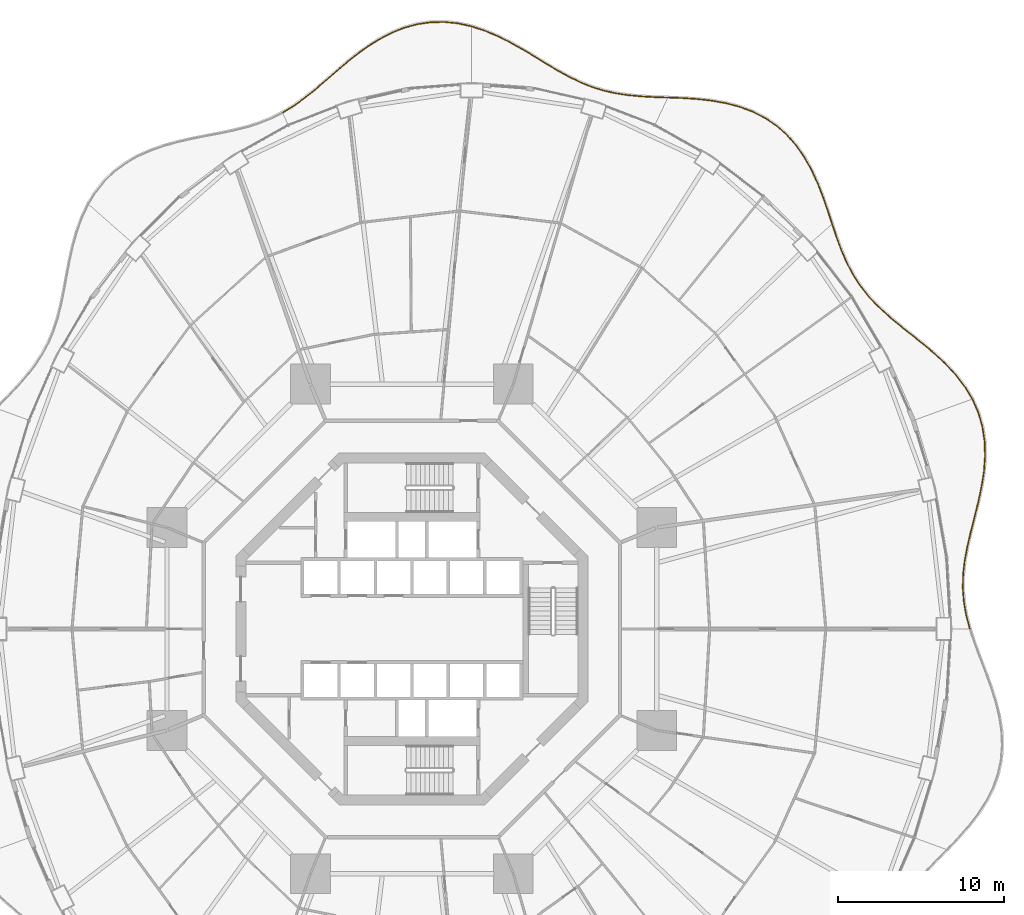
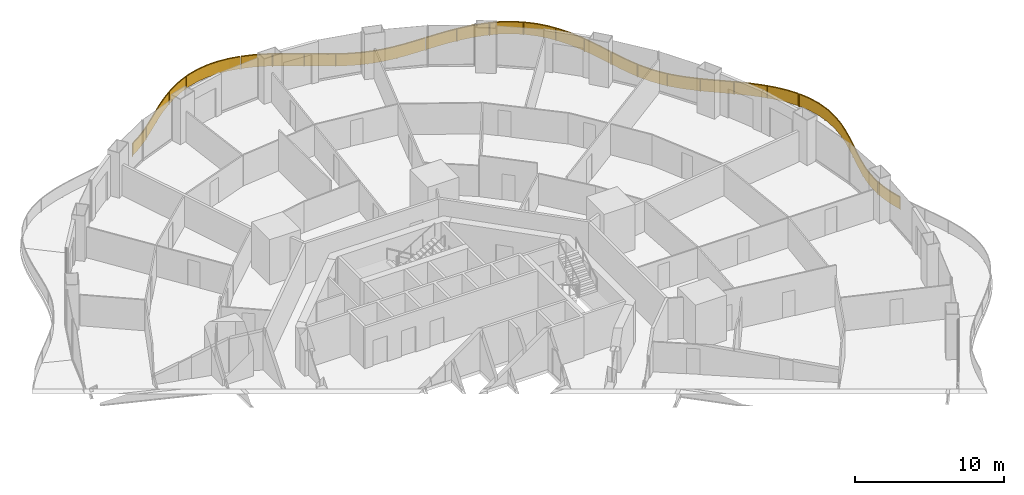
# One storey, part 22 of 22: 5 railings.
"""IFC4 building model written with IfcOpenShell, lengths in metres."""

import ifcopenshell
import ifcopenshell.guid

model = None  # the IFC model being written
_history = None  # IfcOwnerHistory: only IFC2X3 demands one
_inside = {}  # id of a spatial element -> (the spatial element, [elements in it])
_under = {}  # id of a project, library or spatial element -> (it, [spatial elements below it])
_declared = {}  # id of a project -> (the project, [libraries it declares])
_typed = {}  # id of a type object -> (the type object, [elements of that type])
_made_of = {}  # id of a material, layer set ... -> (it, [elements and type objects made of it])


def new_model(schema):
    """Start an empty IFC model of exactly this schema.

    Asked for "IFC4X3", IfcOpenShell would pick the latest addendum, in which some entities
    have other attributes; the version numbers below select the first issue.
    IFC2X3 requires an IfcOwnerHistory on every rooted entity: one is made here for all.
    """
    global model, _history
    if schema == "IFC4X3":
        model = ifcopenshell.file(schema_version=(4, 3, 0, 0))
    else:
        model = ifcopenshell.file(schema=schema)
    _inside.clear()
    _under.clear()
    _declared.clear()
    _typed.clear()
    _made_of.clear()
    _history = None
    if model.schema == "IFC2X3":
        org = make("IfcOrganization", Name="unknown")
        user = make(
            "IfcPersonAndOrganization",
            ThePerson=make("IfcPerson", FamilyName="unknown"),
            TheOrganization=org,
        )
        app = make(
            "IfcApplication",
            ApplicationDeveloper=org,
            Version="unknown",
            ApplicationFullName="unknown",
            ApplicationIdentifier="unknown",
        )
        _history = make(
            "IfcOwnerHistory",
            OwningUser=user,
            OwningApplication=app,
            ChangeAction="ADDED",
            CreationDate=0,
        )
    return model


def make(cls, **values):
    """One entity of the class cls with the attributes given. An attribute that is None is left unset."""
    return model.create_entity(
        cls, **{name: value for name, value in values.items() if value is not None}
    )


def rooted(cls, **values):
    """An entity with a GlobalId (a new one), such as an element, a storey or a relation."""
    return make(cls, GlobalId=ifcopenshell.guid.new(), OwnerHistory=_history, **values)


def si_unit(unit_type, name, prefix=None):
    """IfcSIUnit, for example si_unit("LENGTHUNIT", "METRE", prefix="MILLI")."""
    return make("IfcSIUnit", UnitType=unit_type, Prefix=prefix, Name=name)


def assignment(units):
    """IfcUnitAssignment: the units of a project."""
    return None if units is None else make("IfcUnitAssignment", Units=units)


def point(xyz):
    """IfcCartesianPoint."""
    return None if xyz is None else make("IfcCartesianPoint", Coordinates=xyz)


def direction(xyz):
    """IfcDirection."""
    return None if xyz is None else make("IfcDirection", DirectionRatios=xyz)


def frame(location, z_axis=None, x_axis=None):
    """IfcAxis2Placement3D, a coordinate frame: its origin and axes. An axis left out is left unset."""
    return make(
        "IfcAxis2Placement3D",
        Location=point(location),
        Axis=direction(z_axis),
        RefDirection=direction(x_axis),
    )


def frame_2d(location, x_axis=None):
    """IfcAxis2Placement2D, a coordinate frame in the plane: its origin and x axis."""
    return make(
        "IfcAxis2Placement2D", Location=point(location), RefDirection=direction(x_axis)
    )


def origin():
    """The frame at (0, 0, 0) with its axes left unset."""
    return frame((0.0, 0.0, 0.0))


def origin_2d():
    """The frame at (0, 0) in the plane with its x axis left unset."""
    return frame_2d((0.0, 0.0))


def place(relative_to, where):
    """IfcLocalPlacement: puts the frame where relative to a parent placement (None: the world)."""
    return make(
        "IfcLocalPlacement", PlacementRelTo=relative_to, RelativePlacement=where
    )


def context(
    kind, dimensions, precision=None, world=None, true_north=None, identifier=None
):
    """IfcGeometricRepresentationContext, for example the 3D "Model" context."""
    return make(
        "IfcGeometricRepresentationContext",
        ContextIdentifier=identifier,
        ContextType=kind,
        CoordinateSpaceDimension=dimensions,
        Precision=precision,
        WorldCoordinateSystem=world,
        TrueNorth=true_north,
    )


def subcontext(parent, identifier, kind, view, scale=None):
    """IfcGeometricRepresentationSubContext, for example "Body" below "Model"."""
    return make(
        "IfcGeometricRepresentationSubContext",
        ContextIdentifier=identifier,
        ContextType=kind,
        ParentContext=parent,
        TargetScale=scale,
        TargetView=view,
    )


def project(units=None, contexts=None):
    """IfcProject with its units and contexts."""
    return rooted(
        "IfcProject",
        Name="project",
        RepresentationContexts=contexts,
        UnitsInContext=assignment(units),
    )


def spatial(cls, under=None, at=None, **own):
    """A site, building, storey or space (cls), placed at a placement, below another one or the project."""
    s = rooted(cls, ObjectPlacement=at, **own)
    if under is not None:
        _under.setdefault(under.id(), (under, []))[1].append(s)
    return s


def polyline(points):
    """IfcPolyline through the points."""
    return make("IfcPolyline", Points=[point(p) for p in points])


def profile(cls, at=None, kind="AREA", **sizes):
    """A parametric profile (cls). Its sizes go by their IFC names, for example OverallWidth=200.0."""
    return make(cls, ProfileType=kind, Position=at, **sizes)


def rectangle(**sizes):
    """IfcRectangleProfileDef."""
    return profile("IfcRectangleProfileDef", **sizes)


def outline(outer, holes=None, kind="AREA"):
    """IfcArbitraryClosedProfileDef: a profile drawn as a closed curve; with holes, ...WithVoids."""
    if holes is None:
        return make("IfcArbitraryClosedProfileDef", ProfileType=kind, OuterCurve=outer)
    return make(
        "IfcArbitraryProfileDefWithVoids",
        ProfileType=kind,
        OuterCurve=outer,
        InnerCurves=holes,
    )


def extrude(swept, where, along, depth):
    """IfcExtrudedAreaSolid: the profile swept, set in the frame where, extruded along a direction by depth."""
    return make(
        "IfcExtrudedAreaSolid",
        SweptArea=swept,
        Position=where,
        ExtrudedDirection=direction(along),
        Depth=depth,
    )


def shape(context_of_items, identifier, shape_type, items):
    """IfcShapeRepresentation: the items that make up one representation, for example the "Body"."""
    return make(
        "IfcShapeRepresentation",
        ContextOfItems=context_of_items,
        RepresentationIdentifier=identifier,
        RepresentationType=shape_type,
        Items=items,
    )


def material(Name=None, Category=None):
    """IfcMaterial."""
    return make("IfcMaterial", Name=Name, Category=Category)


def made_of(thing, what):
    """Note that an element or type object is made of a material, layer set ...; save() writes the relation."""
    if what is not None:
        _made_of.setdefault(what.id(), (what, []))[1].append(thing)
    return thing


def type_object(cls, material=None, **own):
    """A type object (cls), such as IfcWallType, which elements share."""
    return made_of(rooted(cls, **own), material)


def element(
    cls,
    number,
    at=None,
    inside=None,
    cuts=None,
    type_object=None,
    material=None,
    context=None,
    identifier="Body",
    shape_type=None,
    held_by="IfcProductDefinitionShape",
    body=None,
    shapes=None,
    **own,
):
    """One element of the class cls, such as IfcWall. Its Tag is "e" and its number.

    at: its placement. inside: the storey or other place that contains it. cuts: it is an
    opening in that element (IfcRelVoidsElement). A single representation is given by context,
    identifier, shape_type and body (its items); several are given by shapes. held_by: the class
    of the entity that holds the representations. save() writes the other relations.
    """
    e = rooted(cls, Tag="e%d" % number, ObjectPlacement=at, **own)
    if body is not None:
        shapes = [shape(context, identifier, shape_type, body)]
    if shapes is not None:
        e.Representation = make(held_by, Representations=shapes)
    if inside is not None:
        _inside.setdefault(inside.id(), (inside, []))[1].append(e)
    if cuts is not None:
        rooted(
            "IfcRelVoidsElement", RelatingBuildingElement=cuts, RelatedOpeningElement=e
        )
    if type_object is not None:
        _typed.setdefault(type_object.id(), (type_object, []))[1].append(e)
    return made_of(e, material)


def aggregate(whole, parts):
    """IfcRelAggregates: a whole, such as a stair, and the parts it consists of."""
    return rooted("IfcRelAggregates", RelatingObject=whole, RelatedObjects=parts)


def save(model, path):
    """Write the relations noted so far, then the file.

    IfcRelAggregates (storeys below a building ...), IfcRelContainedInSpatialStructure (elements
    in a storey), IfcRelDefinesByType, IfcRelAssociatesMaterial and IfcRelDeclares: one each for
    every whole, place, type object, material and project.
    """
    for whole, parts in _under.values():
        aggregate(whole, parts)
    for where, things in _inside.values():
        rooted(
            "IfcRelContainedInSpatialStructure",
            RelatedElements=things,
            RelatingStructure=where,
        )
    for kind, things in _typed.values():
        rooted("IfcRelDefinesByType", RelatedObjects=things, RelatingType=kind)
    for what, things in _made_of.values():
        rooted("IfcRelAssociatesMaterial", RelatedObjects=things, RelatingMaterial=what)
    for by, libraries in _declared.values():
        rooted("IfcRelDeclares", RelatingContext=by, RelatedDefinitions=libraries)
    model.write(path)


model = new_model("IFC4")

# Units and contexts
model_context = context("Model", 3, precision=1e-05, world=origin(), true_north=direction((0.0, 1.0)))
body_context = subcontext(model_context, "Body", "Model", "MODEL_VIEW")
ifc_project = project(units=[si_unit("LENGTHUNIT", "METRE"), si_unit("AREAUNIT", "SQUARE_METRE"), si_unit("VOLUMEUNIT", "CUBIC_METRE"), si_unit("PLANEANGLEUNIT", "RADIAN"), si_unit("MASSUNIT", "GRAM", prefix="KILO")], contexts=[model_context])

# Site, building, storey
site_placement = place(None, origin())
site = spatial("IfcSite", under=ifc_project, at=site_placement, CompositionType="ELEMENT")
building_placement = place(site_placement, origin())
building = spatial("IfcBuilding", under=site, at=building_placement, Name="Nagisa Residences", CompositionType="ELEMENT")
storey_placement = place(building_placement, frame((0.0, 0.0, 64.0)))
storey = spatial("IfcBuildingStorey", under=building, at=storey_placement, Name="L15", CompositionType="ELEMENT", Elevation=64.0)

# Railings
ifc_material = material(Name="Stainless steel 316", Category="steel")
railing_type = type_object("IfcRailingType", Name="BALCONY GUARD 1100", PredefinedType="BALUSTRADE", material=ifc_material)
railing_1_placement = place(storey_placement, frame((33.6708984375, 0.03466796875, 0.0)))
element("IfcRailing", 1, at=railing_1_placement, inside=storey, type_object=railing_type, Name="guard:L15:bal00-0", PredefinedType="BALUSTRADE", context=body_context, shape_type="SweptSolid", body=[
    extrude(outline(polyline([(-0.23193359375, 0.779541015625), (-0.024169921875, -0.00634765625), (0.024169921875, 0.00634765625), (-0.18310546875, 0.790283203125), (-0.3271484375, 1.609130859375), (-0.39013671875, 2.428466796875), (-0.37158203125, 3.25439453125), (-0.27685546875, 4.0927734375), (-0.11669921875, 4.934326171875), (0.08740234375, 5.80908203125), (0.314453125, 6.703125), (0.5400390625, 7.6142578125), (0.7373046875, 8.53759765625), (0.884521484375, 9.452880859375), (0.9521484375, 10.37890625), (0.92529296875, 11.292236328125), (0.79052734375, 12.183349609375), (0.541748046875, 13.04296875), (0.197021484375, 13.81982421875), (0.151123046875, 13.79931640625), (0.494384765625, 13.02587890625), (0.74169921875, 12.172607421875), (0.87548828125, 11.287841796875), (0.90185546875, 10.3798828125), (0.834716796875, 9.458740234375), (0.68798828125, 8.546875), (0.4912109375, 7.62548828125), (0.26611328125, 6.71533203125), (0.03857421875, 5.82080078125), (-0.16552734375, 4.944580078125), (-0.326171875, 4.10009765625), (-0.42138671875, 3.2578125), (-0.4404296875, 2.427001953125), (-0.376953125, 1.602783203125), (-0.23193359375, 0.779541015625)])), frame((0.0, 0.0, 1.050048828125)), (0.0, 0.0, 1.0), 0.050048828125),
    extrude(outline(polyline([(-0.21435546875, 0.783447265625), (-0.0068359375, -0.001708984375), (0.0068359375, 0.001708984375), (-0.20068359375, 0.786376953125), (-0.34521484375, 1.60693359375), (-0.408203125, 2.427978515625), (-0.389404296875, 3.255615234375), (-0.294677734375, 4.095458984375), (-0.13427734375, 4.93798828125), (0.06982421875, 5.813232421875), (0.297119140625, 6.70751953125), (0.5224609375, 7.618408203125), (0.719482421875, 8.541015625), (0.86669921875, 9.455078125), (0.93408203125, 10.379150390625), (0.907470703125, 11.290771484375), (0.77294921875, 12.179443359375), (0.524658203125, 13.036865234375), (0.180419921875, 13.8125), (0.167724609375, 13.806640625), (0.511474609375, 13.031982421875), (0.75927734375, 12.176513671875), (0.893310546875, 11.289306640625), (0.919921875, 10.379638671875), (0.8525390625, 9.45654296875), (0.705810546875, 8.54345703125), (0.5087890625, 7.621337890625), (0.283447265625, 6.7109375), (0.05615234375, 5.816650390625), (-0.14794921875, 4.94091796875), (-0.308349609375, 4.097412109375), (-0.403564453125, 3.256591796875), (-0.42236328125, 2.427490234375), (-0.35888671875, 1.60498046875), (-0.21435546875, 0.783447265625)])), frame((0.0, 0.0, 0.06005859375)), (0.0, 0.0, 1.0), 0.989990234375),
    extrude(rectangle(XDim=0.0400390625, YDim=0.0400390625, at=origin_2d()), origin(), (0.0, 0.0, 1.0), 1.050048828125),
    extrude(rectangle(XDim=0.0400390625, YDim=0.0400390625, at=origin_2d()), frame((-0.40625, 2.30908203125, 0.0)), (0.0, 0.0, 1.0), 1.050048828125),
    extrude(rectangle(XDim=0.0400390625, YDim=0.0400390625, at=origin_2d()), frame((-0.197265625, 4.644287109375, 0.0)), (0.0, 0.0, 1.0), 1.050048828125),
    extrude(rectangle(XDim=0.0400390625, YDim=0.0400390625, at=origin_2d()), frame((0.34521484375, 6.931396484375, 0.0)), (0.0, 0.0, 1.0), 1.050048828125),
    extrude(rectangle(XDim=0.0400390625, YDim=0.0400390625, at=origin_2d()), frame((0.823486328125, 9.231689453125, 0.0)), (0.0, 0.0, 1.0), 1.050048828125),
    extrude(rectangle(XDim=0.0400390625, YDim=0.0400390625, at=origin_2d()), frame((0.857421875, 11.57373046875, 0.0)), (0.0, 0.0, 1.0), 1.050048828125),
    extrude(rectangle(XDim=0.0400390625, YDim=0.0400390625, at=origin_2d()), frame((0.174072265625, 13.8095703125, 0.0)), (0.0, 0.0, 1.0), 1.050048828125),
])
railing_2_placement = place(storey_placement, frame((33.80908203125, 13.91259765625, 0.0)))
element("IfcRailing", 2, at=railing_2_placement, inside=storey, type_object=railing_type, Name="guard:L15:bal01-0", PredefinedType="BALUSTRADE", context=body_context, shape_type="SweptSolid", body=[
    extrude(outline(polyline([(-0.450927734375, 0.696044921875), (-0.021484375, -0.012939453125), (0.021484375, 0.012939453125), (-0.409423828125, 0.724365234375), (-0.952880859375, 1.432861328125), (-1.56884765625, 2.098388671875), (-2.238037109375, 2.724365234375), (-2.9384765625, 3.317626953125), (-3.6416015625, 3.874267578125), (-4.339111328125, 4.43115234375), (-5.005859375, 4.988037109375), (-5.626708984375, 5.556640625), (-6.1904296875, 6.1494140625), (-6.68359375, 6.762939453125), (-7.12255859375, 7.4306640625), (-7.50439453125, 8.144287109375), (-7.838623046875, 8.904052734375), (-8.13916015625, 9.70654296875), (-8.40673828125, 10.50244140625), (-8.4541015625, 10.486328125), (-8.1865234375, 9.68994140625), (-7.885009765625, 8.885009765625), (-7.54931640625, 8.122314453125), (-7.16552734375, 7.4052734375), (-6.72412109375, 6.733642578125), (-6.22802734375, 6.1162109375), (-5.661865234375, 5.52099609375), (-5.0390625, 4.950439453125), (-4.370849609375, 4.392578125), (-3.6728515625, 3.835205078125), (-2.97021484375, 3.279052734375), (-2.271240234375, 2.686767578125), (-1.6044921875, 2.063232421875), (-0.990966796875, 1.400634765625), (-0.450927734375, 0.696044921875)])), frame((0.0, 0.0, 1.050048828125)), (0.0, 0.0, 1.0), 0.050048828125),
    extrude(outline(polyline([(-0.43603515625, 0.706298828125), (-0.006103515625, -0.003662109375), (0.006103515625, 0.003662109375), (-0.42431640625, 0.714111328125), (-0.966552734375, 1.42138671875), (-1.581787109375, 2.085693359375), (-2.25, 2.710693359375), (-2.949951171875, 3.3037109375), (-3.65283203125, 3.860107421875), (-4.3505859375, 4.417236328125), (-5.017822265625, 4.974609375), (-5.639404296875, 5.543701171875), (-6.203857421875, 6.137451171875), (-6.6982421875, 6.75244140625), (-7.137939453125, 7.421630859375), (-7.5205078125, 8.136474609375), (-7.855224609375, 8.897216796875), (-8.15625, 9.70068359375), (-8.423828125, 10.49658203125), (-8.43701171875, 10.4921875), (-8.16943359375, 9.69580078125), (-7.868408203125, 8.891845703125), (-7.533203125, 8.130126953125), (-7.150146484375, 7.414306640625), (-6.70947265625, 6.744140625), (-6.214599609375, 6.128173828125), (-5.649169921875, 5.533935546875), (-5.027099609375, 4.9638671875), (-4.359375, 4.406494140625), (-3.66162109375, 3.849365234375), (-2.958740234375, 3.29296875), (-2.25927734375, 2.700439453125), (-1.591552734375, 2.075927734375), (-0.977294921875, 1.412109375), (-0.43603515625, 0.706298828125)])), frame((0.0, 0.0, 0.06005859375)), (0.0, 0.0, 1.0), 0.989990234375),
    extrude(rectangle(XDim=0.0400390625, YDim=0.0400390625, at=origin_2d()), origin(), (0.0, 0.0, 1.0), 1.050048828125),
    extrude(rectangle(XDim=0.0400390625, YDim=0.0400390625, at=origin_2d()), frame((-1.35546875, 1.8310546875, 0.0)), (0.0, 0.0, 1.0), 1.050048828125),
    extrude(rectangle(XDim=0.0400390625, YDim=0.0400390625, at=origin_2d()), frame((-3.043212890625, 3.36865234375, 0.0)), (0.0, 0.0, 1.0), 1.050048828125),
    extrude(rectangle(XDim=0.0400390625, YDim=0.0400390625, at=origin_2d()), frame((-4.822509765625, 4.80224609375, 0.0)), (0.0, 0.0, 1.0), 1.050048828125),
    extrude(rectangle(XDim=0.0400390625, YDim=0.0400390625, at=origin_2d()), frame((-6.435791015625, 6.414794921875, 0.0)), (0.0, 0.0, 1.0), 1.050048828125),
    extrude(rectangle(XDim=0.0400390625, YDim=0.0400390625, at=origin_2d()), frame((-7.62548828125, 8.357177734375, 0.0)), (0.0, 0.0, 1.0), 1.050048828125),
    extrude(rectangle(XDim=0.0400390625, YDim=0.0400390625, at=origin_2d()), frame((-8.430419921875, 10.494384765625, 0.0)), (0.0, 0.0, 1.0), 1.050048828125),
])
railing_3_placement = place(storey_placement, frame((25.3564453125, 24.47900390625, 0.0)))
element("IfcRailing", 3, at=railing_3_placement, inside=storey, type_object=railing_type, Name="guard:L15:bal02-0", PredefinedType="BALUSTRADE", context=body_context, shape_type="SweptSolid", body=[
    extrude(outline(polyline([(-0.278564453125, 0.77001953125), (-0.023681640625, -0.0078125), (0.023681640625, 0.0078125), (-0.231201171875, 0.7861328125), (-0.52001953125, 1.61474609375), (-0.841552734375, 2.4365234375), (-1.2099609375, 3.236083984375), (-1.6357421875, 3.9970703125), (-2.114990234375, 4.6943359375), (-2.67626953125, 5.335205078125), (-3.3076171875, 5.898681640625), (-4.005126953125, 6.377197265625), (-4.7626953125, 6.76806640625), (-5.557373046875, 7.064453125), (-6.40185546875, 7.2880859375), (-7.27294921875, 7.442138671875), (-8.15673828125, 7.539306640625), (-9.040771484375, 7.59619140625), (-9.86865234375, 7.626708984375), (-9.87060546875, 7.576904296875), (-9.043212890625, 7.54638671875), (-8.1611328125, 7.489501953125), (-7.2802734375, 7.392333984375), (-6.41259765625, 7.2392578125), (-5.572509765625, 7.0166015625), (-4.783203125, 6.72216796875), (-4.031005859375, 6.334228515625), (-3.33837890625, 5.859130859375), (-2.7119140625, 5.300048828125), (-2.154541015625, 4.66357421875), (-1.67822265625, 3.970703125), (-1.25439453125, 3.213134765625), (-0.887451171875, 2.4169921875), (-0.56689453125, 1.59716796875), (-0.278564453125, 0.77001953125)])), frame((0.0, 0.0, 1.050048828125)), (0.0, 0.0, 1.0), 0.050048828125),
    extrude(outline(polyline([(-0.261474609375, 0.77587890625), (-0.006591796875, -0.002197265625), (0.006591796875, 0.002197265625), (-0.248291015625, 0.7802734375), (-0.536865234375, 1.6083984375), (-0.858154296875, 2.429443359375), (-1.225830078125, 3.227783203125), (-1.651123046875, 3.987548828125), (-2.129150390625, 4.683349609375), (-2.689208984375, 5.322509765625), (-3.318603515625, 5.884521484375), (-4.014404296875, 6.36181640625), (-4.77001953125, 6.75146484375), (-5.562744140625, 7.047119140625), (-6.40576171875, 7.2705078125), (-7.275634765625, 7.424072265625), (-8.158447265625, 7.521484375), (-9.041748046875, 7.578369140625), (-9.869384765625, 7.60888671875), (-9.869873046875, 7.5947265625), (-9.042236328125, 7.564208984375), (-8.159423828125, 7.50732421875), (-7.277587890625, 7.410400390625), (-6.40869140625, 7.2568359375), (-5.567138671875, 7.033935546875), (-4.77587890625, 6.73876953125), (-4.021728515625, 6.349609375), (-3.327392578125, 5.873291015625), (-2.698974609375, 5.312744140625), (-2.140380859375, 4.674560546875), (-1.662841796875, 3.980224609375), (-1.238525390625, 3.221435546875), (-0.870849609375, 2.424072265625), (-0.550048828125, 1.603515625), (-0.261474609375, 0.77587890625)])), frame((0.0, 0.0, 0.06005859375)), (0.0, 0.0, 1.0), 0.989990234375),
    extrude(rectangle(XDim=0.0400390625, YDim=0.0400390625, at=origin_2d()), origin(), (0.0, 0.0, 1.0), 1.050048828125),
    extrude(rectangle(XDim=0.0400390625, YDim=0.0400390625, at=origin_2d()), frame((-0.7607421875, 2.16162109375, 0.0)), (0.0, 0.0, 1.0), 1.050048828125),
    extrude(rectangle(XDim=0.0400390625, YDim=0.0400390625, at=origin_2d()), frame((-1.8037109375, 4.197265625, 0.0)), (0.0, 0.0, 1.0), 1.050048828125),
    extrude(rectangle(XDim=0.0400390625, YDim=0.0400390625, at=origin_2d()), frame((-3.336181640625, 5.887939453125, 0.0)), (0.0, 0.0, 1.0), 1.050048828125),
    extrude(rectangle(XDim=0.0400390625, YDim=0.0400390625, at=origin_2d()), frame((-5.349853515625, 6.96044921875, 0.0)), (0.0, 0.0, 1.0), 1.050048828125),
    extrude(rectangle(XDim=0.0400390625, YDim=0.0400390625, at=origin_2d()), frame((-7.583251953125, 7.450927734375, 0.0)), (0.0, 0.0, 1.0), 1.050048828125),
    extrude(rectangle(XDim=0.0400390625, YDim=0.0400390625, at=origin_2d()), frame((-9.86962890625, 7.601806640625, 0.0)), (0.0, 0.0, 1.0), 1.050048828125),
])
railing_4_placement = place(storey_placement, frame((15.4111328125, 32.081787109375, 0.0)))
element("IfcRailing", 4, at=railing_4_placement, inside=storey, type_object=railing_type, Name="guard:L15:bal03-0", PredefinedType="BALUSTRADE", context=body_context, shape_type="SweptSolid", body=[
    extrude(outline(polyline([(-0.77978515625, 0.001708984375), (-0.0009765625, -0.02490234375), (0.0009765625, 0.02490234375), (-0.77734375, 0.051513671875), (-1.578125, 0.09521484375), (-2.35302734375, 0.16748046875), (-3.101806640625, 0.280517578125), (-3.82666015625, 0.443359375), (-4.515380859375, 0.6572265625), (-5.207275390625, 0.93310546875), (-5.892578125, 1.2626953125), (-6.578857421875, 1.639404296875), (-7.273193359375, 2.05126953125), (-7.9638671875, 2.481201171875), (-8.69091796875, 2.917724609375), (-9.439453125, 3.338623046875), (-10.210693359375, 3.72509765625), (-11.0029296875, 4.058349609375), (-11.7666015625, 4.30859375), (-11.7822265625, 4.26123046875), (-11.0205078125, 4.011474609375), (-10.231689453125, 3.6796875), (-9.462890625, 3.294189453125), (-8.7158203125, 2.874267578125), (-7.98974609375, 2.438720703125), (-7.299072265625, 2.00830078125), (-6.603759765625, 1.595947265625), (-5.91552734375, 1.21826171875), (-5.227294921875, 0.88720703125), (-4.531982421875, 0.60986328125), (-3.83935546875, 0.39501953125), (-3.111083984375, 0.231201171875), (-2.35888671875, 0.11767578125), (-1.58203125, 0.04541015625), (-0.77978515625, 0.001708984375)])), frame((0.0, 0.0, 1.050048828125)), (0.0, 0.0, 1.0), 0.050048828125),
    extrude(outline(polyline([(-0.77880859375, 0.01953125), (-0.000244140625, -0.007080078125), (0.000244140625, 0.007080078125), (-0.7783203125, 0.03369140625), (-1.57958984375, 0.077392578125), (-2.355224609375, 0.1494140625), (-3.105224609375, 0.2626953125), (-3.831298828125, 0.426025390625), (-4.521240234375, 0.64013671875), (-5.21435546875, 0.91650390625), (-5.90087890625, 1.246826171875), (-6.587890625, 1.623779296875), (-7.282470703125, 2.035888671875), (-7.97314453125, 2.4658203125), (-8.699951171875, 2.902099609375), (-9.447998046875, 3.322509765625), (-10.21826171875, 3.708740234375), (-11.00927734375, 4.04150390625), (-11.772216796875, 4.29150390625), (-11.776611328125, 4.2783203125), (-11.01416015625, 4.0283203125), (-10.22412109375, 3.696044921875), (-9.454345703125, 3.310302734375), (-8.706787109375, 2.889892578125), (-7.98046875, 2.4541015625), (-7.289794921875, 2.023681640625), (-6.5947265625, 1.611572265625), (-5.9072265625, 1.234130859375), (-5.22021484375, 0.90380859375), (-4.526123046875, 0.626953125), (-3.834716796875, 0.412353515625), (-3.107666015625, 0.2490234375), (-2.356689453125, 0.1357421875), (-1.58056640625, 0.063232421875), (-0.77880859375, 0.01953125)])), frame((0.0, 0.0, 0.06005859375)), (0.0, 0.0, 1.0), 0.989990234375),
    extrude(rectangle(XDim=0.0400390625, YDim=0.0400390625, at=origin_2d()), origin(), (0.0, 0.0, 1.0), 1.050048828125),
    extrude(rectangle(XDim=0.0400390625, YDim=0.0400390625, at=origin_2d()), frame((-2.117431640625, 0.120361328125, 0.0)), (0.0, 0.0, 1.0), 1.050048828125),
    extrude(rectangle(XDim=0.0400390625, YDim=0.0400390625, at=origin_2d()), frame((-4.1943359375, 0.53125, 0.0)), (0.0, 0.0, 1.0), 1.050048828125),
    extrude(rectangle(XDim=0.0400390625, YDim=0.0400390625, at=origin_2d()), frame((-6.138916015625, 1.369384765625, 0.0)), (0.0, 0.0, 1.0), 1.050048828125),
    extrude(rectangle(XDim=0.0400390625, YDim=0.0400390625, at=origin_2d()), frame((-7.963134765625, 2.451416015625, 0.0)), (0.0, 0.0, 1.0), 1.050048828125),
    extrude(rectangle(XDim=0.0400390625, YDim=0.0400390625, at=origin_2d()), frame((-9.808837890625, 3.49560546875, 0.0)), (0.0, 0.0, 1.0), 1.050048828125),
    extrude(rectangle(XDim=0.0400390625, YDim=0.0400390625, at=origin_2d()), frame((-11.7744140625, 4.284912109375, 0.0)), (0.0, 0.0, 1.0), 1.050048828125),
])
railing_5_placement = place(storey_placement, frame((3.562255859375, 36.3876953125, 0.0)))
element("IfcRailing", 5, at=railing_5_placement, inside=storey, type_object=railing_type, Name="guard:L15:bal04-0", PredefinedType="BALUSTRADE", context=body_context, shape_type="SweptSolid", body=[
    extrude(outline(polyline([(-0.77783203125, 0.145751953125), (-0.00537109375, -0.0244140625), (0.00537109375, 0.0244140625), (-0.77001953125, 0.195068359375), (-1.599609375, 0.27978515625), (-2.427978515625, 0.26318359375), (-3.247802734375, 0.14404296875), (-4.050537109375, -0.075439453125), (-4.815185546875, -0.384521484375), (-5.56982421875, -0.777099609375), (-6.295166015625, -1.236328125), (-6.990234375, -1.74462890625), (-7.657958984375, -2.283447265625), (-8.284912109375, -2.829345703125), (-8.9111328125, -3.37353515625), (-9.52685546875, -3.8955078125), (-10.140625, -4.381103515625), (-10.76171875, -4.8203125), (-11.361572265625, -5.185546875), (-11.335693359375, -5.228515625), (-10.734375, -4.8623046875), (-10.11083984375, -4.421142578125), (-9.4951171875, -3.93408203125), (-8.87841796875, -3.41162109375), (-8.252197265625, -2.866943359375), (-7.625732421875, -2.322021484375), (-6.9599609375, -1.7841796875), (-6.266845703125, -1.27783203125), (-5.544921875, -0.820556640625), (-4.794189453125, -0.429931640625), (-4.034423828125, -0.122802734375), (-3.237548828125, 0.0947265625), (-2.424072265625, 0.21337890625), (-1.6015625, 0.2294921875), (-0.77783203125, 0.145751953125)])), frame((0.0, 0.0, 1.050048828125)), (0.0, 0.0, 1.0), 0.050048828125),
    extrude(outline(polyline([(-0.775146484375, 0.16357421875), (-0.00146484375, -0.0068359375), (0.00146484375, 0.0068359375), (-0.772705078125, 0.17724609375), (-1.600341796875, 0.26171875), (-2.426513671875, 0.245361328125), (-3.244140625, 0.126220703125), (-4.044677734375, -0.092529296875), (-4.8076171875, -0.40087890625), (-5.560791015625, -0.792724609375), (-6.284912109375, -1.251220703125), (-6.979248046875, -1.7587890625), (-7.646240234375, -2.29736328125), (-8.273193359375, -2.8427734375), (-8.8994140625, -3.38720703125), (-9.515380859375, -3.909423828125), (-10.1298828125, -4.3955078125), (-10.751953125, -4.83544921875), (-11.352294921875, -5.201171875), (-11.344970703125, -5.212890625), (-10.744140625, -4.84716796875), (-10.12158203125, -4.40673828125), (-9.506591796875, -3.920166015625), (-8.89013671875, -3.39794921875), (-8.263916015625, -2.853515625), (-7.637451171875, -2.30810546875), (-6.970947265625, -1.77001953125), (-6.277099609375, -1.262939453125), (-5.553955078125, -0.804931640625), (-4.8017578125, -0.41357421875), (-4.040283203125, -0.105712890625), (-3.2412109375, 0.112548828125), (-2.425537109375, 0.231201171875), (-1.600830078125, 0.24755859375), (-0.775146484375, 0.16357421875)])), frame((0.0, 0.0, 0.06005859375)), (0.0, 0.0, 1.0), 0.989990234375),
    extrude(rectangle(XDim=0.0400390625, YDim=0.0400390625, at=origin_2d()), origin(), (0.0, 0.0, 1.0), 1.050048828125),
    extrude(rectangle(XDim=0.0400390625, YDim=0.0400390625, at=origin_2d()), frame((-2.154541015625, 0.24365234375, 0.0)), (0.0, 0.0, 1.0), 1.050048828125),
    extrude(rectangle(XDim=0.0400390625, YDim=0.0400390625, at=origin_2d()), frame((-4.275634765625, -0.193359375, 0.0)), (0.0, 0.0, 1.0), 1.050048828125),
    extrude(rectangle(XDim=0.0400390625, YDim=0.0400390625, at=origin_2d()), frame((-6.1982421875, -1.20458984375, 0.0)), (0.0, 0.0, 1.0), 1.050048828125),
    extrude(rectangle(XDim=0.0400390625, YDim=0.0400390625, at=origin_2d()), frame((-7.91552734375, -2.540771484375, 0.0)), (0.0, 0.0, 1.0), 1.050048828125),
    extrude(rectangle(XDim=0.0400390625, YDim=0.0400390625, at=origin_2d()), frame((-9.5673828125, -3.95947265625, 0.0)), (0.0, 0.0, 1.0), 1.050048828125),
    extrude(rectangle(XDim=0.0400390625, YDim=0.0400390625, at=origin_2d()), frame((-11.3486328125, -5.20703125, 0.0)), (0.0, 0.0, 1.0), 1.050048828125),
])

save(model, "model.ifc")
